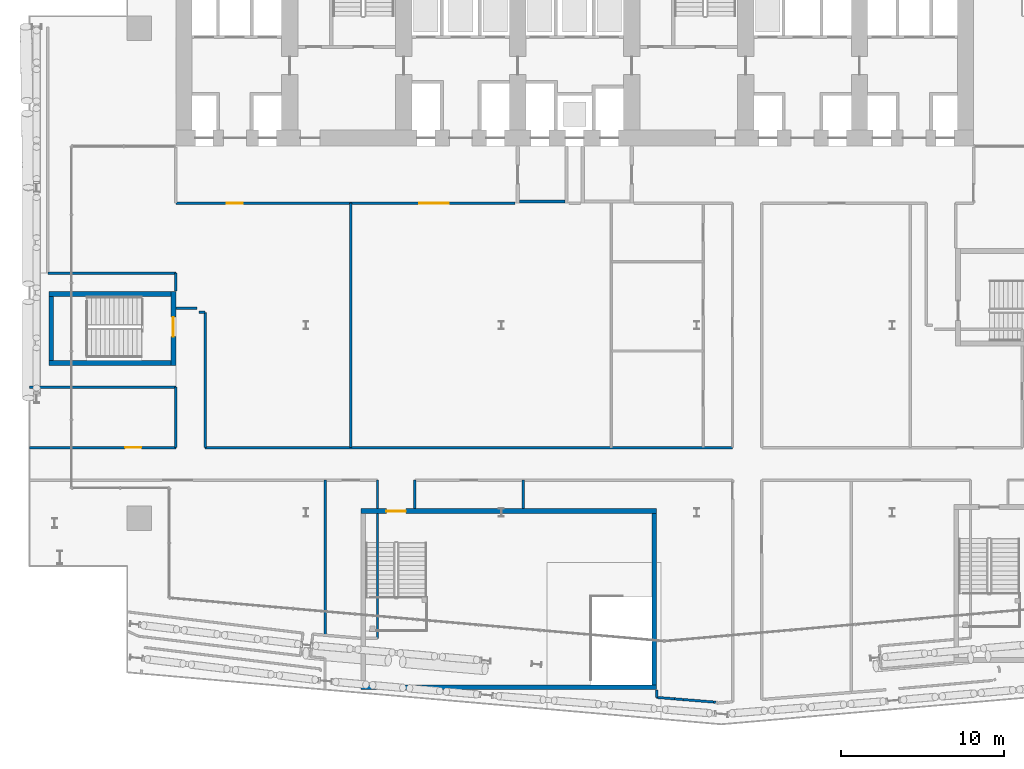
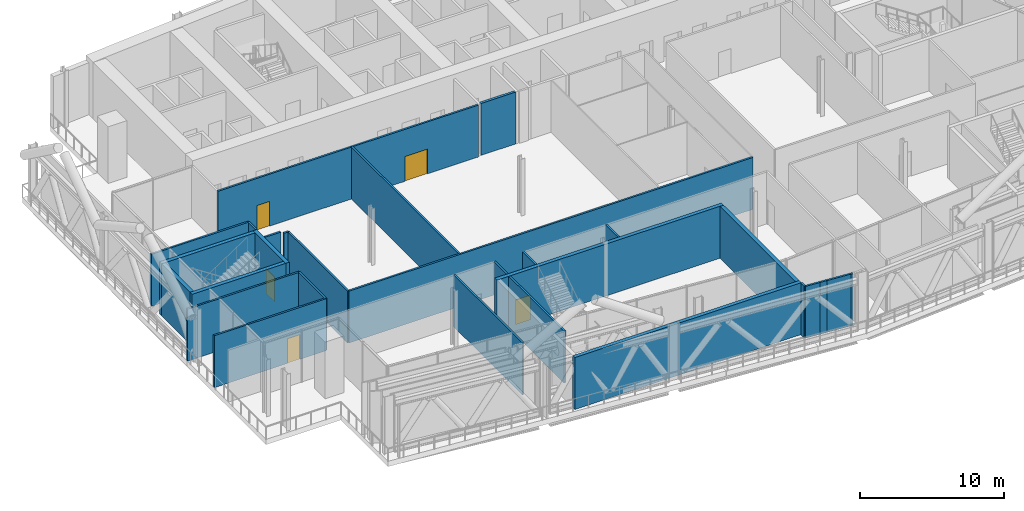
# One storey, part 16 of 42: 29 walls, 5 doors, 5 openings.
"""IFC4 building model written with IfcOpenShell, lengths in metres."""

from ifc_helpers import new_model, si_unit, direction, frame, frame_2d, origin, place, context, subcontext, project, spatial, rectangle, extrude, material, layer, layer_set, type_object, element, fill, save


model = new_model("IFC4")

# Units and contexts
model_context = context("Model", 3, precision=1e-05, world=origin(), true_north=direction((0.0, 1.0)))
body_context = subcontext(model_context, "Body", "Model", "MODEL_VIEW")
ifc_project = project(units=[si_unit("LENGTHUNIT", "METRE"), si_unit("AREAUNIT", "SQUARE_METRE"), si_unit("VOLUMEUNIT", "CUBIC_METRE"), si_unit("PLANEANGLEUNIT", "RADIAN"), si_unit("MASSUNIT", "GRAM", prefix="KILO")], contexts=[model_context])

# Site, building, storey
site_placement = place(None, origin())
site = spatial("IfcSite", under=ifc_project, at=site_placement, CompositionType="ELEMENT")
building_placement = place(site_placement, origin())
building = spatial("IfcBuilding", under=site, at=building_placement, Name="Wharfspan Tower", CompositionType="ELEMENT")
storey_placement = place(building_placement, frame((0.0, 0.0, 147.100098)))
storey = spatial("IfcBuildingStorey", under=building, at=storey_placement, Name="L35", CompositionType="ELEMENT", Elevation=147.100098)

# Wall
ifc_material_1 = material(Name="Concrete C30/37", Category="concrete")
ifc_layer_1 = layer(ifc_material_1, 0.199951)
ifc_layer_set_1 = layer_set([ifc_layer_1], Name="Concrete C30/37")
wall_type_1 = type_object("IfcWallType", Name="Lobby wall 200", PredefinedType="PARTITIONING", material=ifc_layer_set_1)
wall_1_placement = place(storey_placement, frame((37.100098, 30.600098, 0.0), z_axis=(0.0, 0.0, 1.0), x_axis=(1.0, 0.0, 0.0)))
element("IfcWall", 1, at=wall_1_placement, inside=storey, type_object=wall_type_1, Name="sw:L35:FLFF1F", PredefinedType="PARTITIONING", context=body_context, shape_type="SweptSolid", body=[
    extrude(rectangle(XDim=2.799805, YDim=0.199951, at=frame_2d((1.399902, 0.0))), origin(), (0.0, 0.0, 1.0), 4.399902),
])

# Wall, opening, door
ifc_material_2 = material(Name="Gypsum board on steel studs", Category="steel")
ifc_layer_2 = layer(ifc_material_2, 0.149902)
ifc_layer_set_2 = layer_set([ifc_layer_2], Name="Gypsum board on steel studs")
wall_type_2 = type_object("IfcWallType", Name="Plant room wall 150 EI 120", PredefinedType="PARTITIONING", material=ifc_layer_set_2)
wall_2_placement = place(storey_placement, frame((7.02002, 15.48999, 0.0), z_axis=(0.0, 0.0, 1.0), x_axis=(1.0, 0.0, 0.0)))
wall_2 = element("IfcWall", 2, at=wall_2_placement, inside=storey, type_object=wall_type_2, Name="Partition L35.w002", PredefinedType="PARTITIONING", context=body_context, shape_type="SweptSolid", body=[
    extrude(rectangle(XDim=8.97998, YDim=0.149902, at=frame_2d((4.48999, 0.0))), origin(), (0.0, 0.0, 1.0), 4.399902),
])
opening_1_placement = place(wall_2_placement, frame((5.870117, 0.0, 0.0)))
opening_1 = element("IfcOpeningElement", 3, at=opening_1_placement, cuts=wall_2, Name="Opening BB-09", PredefinedType="OPENING", context=body_context, shape_type="SweptSolid", body=[
    extrude(rectangle(XDim=1.0, YDim=2.100098, at=frame_2d((0.5, 1.050049))), frame((0.0, 0.084961, 0.0), z_axis=(0.0, -1.0, 0.0), x_axis=(1.0, 0.0, 0.0)), (0.0, 0.0, 1.0), 0.169922),
])
ifc_material_3 = material(Name="Fire-rated timber door leaf in steel frame", Category="steel")
door_type_1 = type_object("IfcDoorType", Name="Door 1000 FD60 Right", OperationType="SINGLE_SWING_RIGHT", PredefinedType="DOOR", material=ifc_material_3)
door_1_placement = place(opening_1_placement, origin())
door_1 = element("IfcDoor", 4, at=door_1_placement, inside=storey, type_object=door_type_1, Name="Door BB-09", OperationType="SINGLE_SWING_RIGHT", OverallHeight=2.100098, OverallWidth=1.0, PredefinedType="DOOR", context=body_context, shape_type="SweptSolid", body=[
    extrude(rectangle(XDim=1.0, YDim=2.100098, at=frame_2d((0.5, 1.050049))), frame((0.0, 0.024902, 0.0), z_axis=(0.0, -1.0, 0.0), x_axis=(1.0, 0.0, 0.0)), (0.0, 0.0, 1.0), 0.050049),
])
fill(opening_1, door_1)

# Walls
wall_3_placement = place(storey_placement, frame((7.02002, 19.199951, 0.0), z_axis=(0.0, 0.0, 1.0), x_axis=(1.0, 0.0, 0.0)))
element("IfcWall", 5, at=wall_3_placement, inside=storey, type_object=wall_type_2, Name="Partition L35.w003", PredefinedType="PARTITIONING", context=body_context, shape_type="SweptSolid", body=[
    extrude(rectangle(XDim=8.97998, YDim=0.149902, at=frame_2d((4.48999, 0.0))), origin(), (0.0, 0.0, 1.0), 4.399902),
])
wall_4_placement = place(storey_placement, frame((8.149902, 26.199951, 0.0), z_axis=(0.0, 0.0, 1.0), x_axis=(1.0, 0.0, 0.0)))
element("IfcWall", 6, at=wall_4_placement, inside=storey, type_object=wall_type_2, Name="Partition L35.w005", PredefinedType="PARTITIONING", context=body_context, shape_type="SweptSolid", body=[
    extrude(rectangle(XDim=7.850098, YDim=0.149902, at=frame_2d((3.925049, 0.0))), origin(), (0.0, 0.0, 1.0), 4.399902),
])
wall_5_placement = place(storey_placement, frame((16.0, 15.48999, 0.0), z_axis=(0.0, 0.0, 1.0), x_axis=(0.0, 1.0, 0.0)))
element("IfcWall", 7, at=wall_5_placement, inside=storey, type_object=wall_type_2, Name="Partition L35.w009", PredefinedType="PARTITIONING", context=body_context, shape_type="SweptSolid", body=[
    extrude(rectangle(XDim=3.709961, YDim=0.149902, at=frame_2d((1.85498, 0.0))), origin(), (0.0, 0.0, 1.0), 4.399902),
])
wall_6_placement = place(storey_placement, frame((16.0, 25.094971, 0.0), z_axis=(0.0, 0.0, 1.0), x_axis=(0.0, 1.0, 0.0)))
element("IfcWall", 8, at=wall_6_placement, inside=storey, type_object=wall_type_2, Name="Partition L35.w010", PredefinedType="PARTITIONING", context=body_context, shape_type="SweptSolid", body=[
    extrude(rectangle(XDim=1.10498, YDim=0.149902, at=frame_2d((0.55249, 0.0))), origin(), (0.0, 0.0, 1.0), 4.399902),
])

# Wall, openings, doors
wall_7_placement = place(storey_placement, frame((16.0, 30.5, 0.0), z_axis=(0.0, 0.0, 1.0), x_axis=(1.0, 0.0, 0.0)))
wall_7 = element("IfcWall", 9, at=wall_7_placement, inside=storey, type_object=wall_type_2, Name="Partition L35.w012", PredefinedType="PARTITIONING", context=body_context, shape_type="SweptSolid", body=[
    extrude(rectangle(XDim=20.850098, YDim=0.149902, at=frame_2d((10.425049, 0.0))), origin(), (0.0, 0.0, 1.0), 4.399902),
])
opening_2_placement = place(wall_7_placement, frame((3.120117, 0.0, 0.0)))
opening_2 = element("IfcOpeningElement", 10, at=opening_2_placement, cuts=wall_7, Name="Opening BB-17", PredefinedType="OPENING", context=body_context, shape_type="SweptSolid", body=[
    extrude(rectangle(XDim=1.0, YDim=2.100098, at=frame_2d((0.5, 1.050049))), frame((0.0, 0.084961, 0.0), z_axis=(0.0, -1.0, 0.0), x_axis=(1.0, 0.0, 0.0)), (0.0, 0.0, 1.0), 0.169922),
])
opening_3_placement = place(wall_7_placement, frame((14.969971, 0.0, 0.0)))
opening_3 = element("IfcOpeningElement", 11, at=opening_3_placement, cuts=wall_7, Name="Opening BB-18", PredefinedType="OPENING", context=body_context, shape_type="SweptSolid", body=[
    extrude(rectangle(XDim=1.800049, YDim=2.100098, at=frame_2d((0.899902, 1.050049))), frame((0.0, 0.084961, 0.0), z_axis=(0.0, -1.0, 0.0), x_axis=(1.0, 0.0, 0.0)), (0.0, 0.0, 1.0), 0.169922),
])
door_type_2 = type_object("IfcDoorType", Name="Door 1000 FD60 Left", OperationType="SINGLE_SWING_LEFT", PredefinedType="DOOR", material=ifc_material_3)
door_2_placement = place(opening_2_placement, origin())
door_2 = element("IfcDoor", 12, at=door_2_placement, inside=storey, type_object=door_type_2, Name="Door BB-17", OperationType="SINGLE_SWING_LEFT", OverallHeight=2.100098, OverallWidth=1.0, PredefinedType="DOOR", context=body_context, shape_type="SweptSolid", body=[
    extrude(rectangle(XDim=1.0, YDim=2.100098, at=frame_2d((0.5, 1.050049))), frame((0.0, 0.024902, 0.0), z_axis=(0.0, -1.0, 0.0), x_axis=(1.0, 0.0, 0.0)), (0.0, 0.0, 1.0), 0.050049),
])
fill(opening_2, door_2)
door_type_3 = type_object("IfcDoorType", Name="Door 1800 FD30S Double", OperationType="DOUBLE_DOOR_SINGLE_SWING", PredefinedType="DOOR", material=ifc_material_3)
door_3_placement = place(opening_3_placement, origin())
door_3 = element("IfcDoor", 13, at=door_3_placement, inside=storey, type_object=door_type_3, Name="Door BB-18", OperationType="DOUBLE_DOOR_SINGLE_SWING", OverallHeight=2.100098, OverallWidth=1.800049, PredefinedType="DOOR", context=body_context, shape_type="SweptSolid", body=[
    extrude(rectangle(XDim=1.800049, YDim=2.100098, at=frame_2d((0.899902, 1.050049))), frame((0.0, 0.024902, 0.0), z_axis=(0.0, -1.0, 0.0), x_axis=(1.0, 0.0, 0.0)), (0.0, 0.0, 1.0), 0.050049),
])
fill(opening_3, door_3)

# Walls
wall_8_placement = place(storey_placement, frame((16.02002, 24.050049, 0.0), z_axis=(0.0, 0.0, 1.0), x_axis=(1.0, 0.0, 0.0)))
element("IfcWall", 14, at=wall_8_placement, inside=storey, type_object=wall_type_2, Name="Partition L35.w013", PredefinedType="PARTITIONING", context=body_context, shape_type="SweptSolid", body=[
    extrude(rectangle(XDim=1.280029, YDim=0.149902, at=frame_2d((0.640137, 0.0))), origin(), (0.0, 0.0, 1.0), 4.399902),
])
wall_9_placement = place(storey_placement, frame((17.419922, 23.800049, 0.0), z_axis=(0.0, 0.0, 1.0), x_axis=(1.0, 0.0, 0.0)))
element("IfcWall", 15, at=wall_9_placement, inside=storey, type_object=wall_type_2, Name="Partition L35.w014", PredefinedType="PARTITIONING", context=body_context, shape_type="SweptSolid", body=[
    extrude(rectangle(XDim=0.380127, YDim=0.149902, at=frame_2d((0.189941, 0.0))), origin(), (0.0, 0.0, 1.0), 4.399902),
])
wall_10_placement = place(storey_placement, frame((17.800049, 15.48999, 0.0), z_axis=(0.0, 0.0, 1.0), x_axis=(0.0, 1.0, 0.0)))
element("IfcWall", 16, at=wall_10_placement, inside=storey, type_object=wall_type_2, Name="Partition L35.w015", PredefinedType="PARTITIONING", context=body_context, shape_type="SweptSolid", body=[
    extrude(rectangle(XDim=8.310059, YDim=0.149902, at=frame_2d((4.155029, 0.0))), origin(), (0.0, 0.0, 1.0), 4.399902),
])
wall_11_placement = place(storey_placement, frame((17.800049, 15.48999, 0.0), z_axis=(0.0, 0.0, 1.0), x_axis=(1.0, 0.0, 0.0)))
element("IfcWall", 17, at=wall_11_placement, inside=storey, type_object=wall_type_2, Name="Partition L35.w016", PredefinedType="PARTITIONING", context=body_context, shape_type="SweptSolid", body=[
    extrude(rectangle(XDim=32.389893, YDim=0.149902, at=frame_2d((16.194824, 0.0))), origin(), (0.0, 0.0, 1.0), 4.399902),
])
wall_12_placement = place(storey_placement, frame((25.169922, 3.965088, 0.0), z_axis=(0.0, 0.0, 1.0), x_axis=(0.0, 1.0, 0.0)))
element("IfcWall", 18, at=wall_12_placement, inside=storey, type_object=wall_type_2, Name="Partition L35.w026", PredefinedType="PARTITIONING", context=body_context, shape_type="SweptSolid", body=[
    extrude(rectangle(XDim=9.524902, YDim=0.149902, at=frame_2d((4.762451, 0.0))), origin(), (0.0, 0.0, 1.0), 4.399902),
])
wall_13_placement = place(storey_placement, frame((26.75, 15.48999, 0.0), z_axis=(0.0, 0.0, 1.0), x_axis=(0.0, 1.0, 0.0)))
element("IfcWall", 19, at=wall_13_placement, inside=storey, type_object=wall_type_2, Name="Partition L35.w027", PredefinedType="PARTITIONING", context=body_context, shape_type="SweptSolid", body=[
    extrude(rectangle(XDim=15.01001, YDim=0.149902, at=frame_2d((7.504883, 0.0))), origin(), (0.0, 0.0, 1.0), 4.399902),
])
wall_14_placement = place(storey_placement, frame((28.389893, 3.774902, 0.0), z_axis=(0.0, 0.0, 1.0), x_axis=(0.0, 1.0, 0.0)))
element("IfcWall", 20, at=wall_14_placement, inside=storey, type_object=wall_type_2, Name="Partition L35.w030", PredefinedType="PARTITIONING", context=body_context, shape_type="SweptSolid", body=[
    extrude(rectangle(XDim=7.659424, YDim=0.149902, at=frame_2d((3.82959, 0.0))), origin(), (0.0, 0.0, 1.0), 4.399902),
])
for number, where, z_axis, x_axis, name in (
    (21, (30.689941, 11.754395, 0.0), (0.0, 0.0, 1.0), (0.0, 1.0, 0.0), "Partition L35.w031"),
    (22, (37.334961, 11.754395, 0.0), (0.0, 0.0, 1.0), (0.0, 1.0, 0.0), "Partition L35.w033"),
):
    element("IfcWall", number, at=place(storey_placement, frame(where, z_axis=z_axis, x_axis=x_axis)), inside=storey, type_object=wall_type_2, Name=name, PredefinedType="PARTITIONING", context=body_context, shape_type="SweptSolid", body=[
        extrude(rectangle(XDim=1.735596, YDim=0.149902, at=frame_2d((0.867676, 0.0))), origin(), (0.0, 0.0, 1.0), 4.399902),
    ])
wall_15_placement = place(storey_placement, frame((45.534912, 0.14502, 0.0), z_axis=(0.0, 0.0, 1.0), x_axis=(0.0, 1.0, 0.0)))
element("IfcWall", 23, at=wall_15_placement, inside=storey, type_object=wall_type_2, Name="Partition L35.w037", PredefinedType="PARTITIONING", context=body_context, shape_type="SweptSolid", body=[
    extrude(rectangle(XDim=0.451904, YDim=0.149902, at=frame_2d((0.226074, 0.0))), origin(), (0.0, 0.0, 1.0), 4.399902),
])
wall_16_placement = place(storey_placement, frame((46.639893, 0.054932, 0.0), z_axis=(0.0, 0.0, 1.0), x_axis=(-0.996689, 0.081259, 0.0)))
element("IfcWall", 24, at=wall_16_placement, inside=storey, type_object=wall_type_2, Name="Partition L35.w038", PredefinedType="PARTITIONING", context=body_context, shape_type="SweptSolid", body=[
    extrude(rectangle(XDim=1.108643, YDim=0.149902, at=frame_2d((0.554199, 0.0))), origin(), (0.0, 0.0, 1.0), 4.399902),
])
wall_17_placement = place(storey_placement, frame((47.168701, 0.011475, 0.0), z_axis=(0.0, 0.0, 1.0), x_axis=(-0.99664, 0.081903, 0.0)))
element("IfcWall", 25, at=wall_17_placement, inside=storey, type_object=wall_type_2, Name="Partition L35.w039", PredefinedType="PARTITIONING", context=body_context, shape_type="SweptSolid", body=[
    extrude(rectangle(XDim=0.530518, YDim=0.149902, at=frame_2d((0.265137, 0.0))), origin(), (0.0, 0.0, 1.0), 4.399902),
])
wall_18_placement = place(storey_placement, frame((49.027344, -0.138672, 0.0), z_axis=(0.0, 0.0, 1.0), x_axis=(-0.996757, 0.080521, 0.0)))
element("IfcWall", 26, at=wall_18_placement, inside=storey, type_object=wall_type_2, Name="Partition L35.w041", PredefinedType="PARTITIONING", context=body_context, shape_type="SweptSolid", body=[
    extrude(rectangle(XDim=1.864746, YDim=0.149902, at=frame_2d((0.932373, 0.0))), origin(), (0.0, 0.0, 1.0), 4.399902),
])
wall_19_placement = place(storey_placement, frame((49.179932, -0.149902, 0.0), z_axis=(0.0, 0.0, 1.0), x_axis=(-0.997298, 0.073401, 0.0)))
element("IfcWall", 27, at=wall_19_placement, inside=storey, type_object=wall_type_2, Name="Partition L35.w042", PredefinedType="PARTITIONING", context=body_context, shape_type="SweptSolid", body=[
    extrude(rectangle(XDim=0.153076, YDim=0.149902, at=frame_2d((0.07666, 0.0))), origin(), (0.0, 0.0, 1.0), 4.399902),
])
wall_20_placement = place(storey_placement, frame((28.389893, 11.734375, 0.0), z_axis=(0.0, 0.0, 1.0), x_axis=(0.0, 1.0, 0.0)))
element("IfcWall", 28, at=wall_20_placement, inside=storey, type_object=wall_type_2, Name="Partition L35.w030 (2)", PredefinedType="PARTITIONING", context=body_context, shape_type="SweptSolid", body=[
    extrude(rectangle(XDim=1.755615, YDim=0.149902, at=frame_2d((0.87793, 0.0))), origin(), (0.0, 0.0, 1.0), 4.399902),
])

# Wall, opening, door
ifc_material_4 = material(Name="Concrete C40/50", Category="concrete")
ifc_layer_3 = layer(ifc_material_4, 0.300049)
ifc_layer_set_3 = layer_set([ifc_layer_3], Name="Concrete C40/50")
wall_type_3 = type_object("IfcWallType", Name="Stair core wall 300", PredefinedType="SHEAR", material=ifc_layer_set_3)
wall_21_placement = place(storey_placement, frame((15.850098, 20.524902, 0.0), z_axis=(0.0, 0.0, 1.0), x_axis=(0.0, 1.0, 0.0)))
wall_21 = element("IfcWall", 29, at=wall_21_placement, inside=storey, type_object=wall_type_3, Name="ST3 stair enclosure wall L35", PredefinedType="SHEAR", context=body_context, shape_type="SweptSolid", body=[
    extrude(rectangle(XDim=4.550049, YDim=0.300049, at=frame_2d((2.274902, 0.0))), origin(), (0.0, 0.0, 1.0), 4.399902),
])
opening_4_placement = place(wall_21_placement, frame((1.774902, 0.0, 0.0)))
opening_4 = element("IfcOpeningElement", 30, at=opening_4_placement, cuts=wall_21, Name="Opening SD3.L35", PredefinedType="OPENING", context=body_context, shape_type="SweptSolid", body=[
    extrude(rectangle(XDim=1.199951, YDim=2.100098, at=frame_2d((0.600098, 1.050049))), frame((0.0, 0.159912, 0.0), z_axis=(0.0, -1.0, 0.0), x_axis=(1.0, 0.0, 0.0)), (0.0, 0.0, 1.0), 0.320068),
])
ifc_material_5 = material(Name="Steel door leaf", Category="steel")
door_type_4 = type_object("IfcDoorType", Name="Stair door 1200x2100", OperationType="SINGLE_SWING_LEFT", PredefinedType="DOOR", material=ifc_material_5)
door_4_placement = place(opening_4_placement, origin())
door_4 = element("IfcDoor", 31, at=door_4_placement, inside=storey, type_object=door_type_4, Name="sd:L35:ST3z3", OperationType="SINGLE_SWING_RIGHT", OverallHeight=2.100098, OverallWidth=1.199951, PredefinedType="DOOR", context=body_context, shape_type="SweptSolid", body=[
    extrude(rectangle(XDim=1.199951, YDim=2.100098, at=frame_2d((0.600098, 1.050049))), frame((0.0, 0.024902, 0.0), z_axis=(0.0, -1.0, 0.0), x_axis=(1.0, 0.0, 0.0)), (0.0, 0.0, 1.0), 0.050049),
])
fill(opening_4, door_4)

wall_22_placement = place(storey_placement, frame((27.364258, 11.584229, 0.0), z_axis=(0.0, 0.0, 1.0), x_axis=(1.0, 0.0, 0.0)))
wall_22 = element("IfcWall", 32, at=wall_22_placement, inside=storey, type_object=wall_type_3, Name="ST4 stair enclosure wall L35", PredefinedType="SHEAR", context=body_context, shape_type="SweptSolid", body=[
    extrude(rectangle(XDim=18.171143, YDim=0.300049, at=frame_2d((9.085449, 0.0))), origin(), (0.0, 0.0, 1.0), 4.399902),
])
opening_5_placement = place(wall_22_placement, frame((1.574951, 0.0, 0.0)))
opening_5 = element("IfcOpeningElement", 33, at=opening_5_placement, cuts=wall_22, Name="Opening SD4.L35", PredefinedType="OPENING", context=body_context, shape_type="SweptSolid", body=[
    extrude(rectangle(XDim=1.199951, YDim=2.100098, at=frame_2d((0.600098, 1.050049))), frame((0.0, 0.159912, 0.0), z_axis=(0.0, -1.0, 0.0), x_axis=(1.0, 0.0, 0.0)), (0.0, 0.0, 1.0), 0.320068),
])
door_5_placement = place(opening_5_placement, origin())
door_5 = element("IfcDoor", 34, at=door_5_placement, inside=storey, type_object=door_type_4, Name="sd:L35:ST4z3", OperationType="SINGLE_SWING_RIGHT", OverallHeight=2.100098, OverallWidth=1.199951, PredefinedType="DOOR", context=body_context, shape_type="SweptSolid", body=[
    extrude(rectangle(XDim=1.199951, YDim=2.100098, at=frame_2d((0.600098, 1.050049))), frame((0.0, 0.024902, 0.0), z_axis=(0.0, -1.0, 0.0), x_axis=(1.0, 0.0, 0.0)), (0.0, 0.0, 1.0), 0.050049),
])
fill(opening_5, door_5)

# Walls
for number, where, z_axis, x_axis, name in (
    (35, (8.199951, 20.675049, 0.0), (0.0, 0.0, 1.0), (1.0, 0.0, 0.0), "ST3 stair enclosure wall L35"),
    (36, (8.199951, 24.925049, 0.0), (0.0, 0.0, 1.0), (1.0, 0.0, 0.0), "ST3 stair enclosure wall L35"),
):
    element("IfcWall", number, at=place(storey_placement, frame(where, z_axis=z_axis, x_axis=x_axis)), inside=storey, type_object=wall_type_3, Name=name, PredefinedType="SHEAR", context=body_context, shape_type="SweptSolid", body=[
        extrude(rectangle(XDim=7.5, YDim=0.300049, at=frame_2d((3.75, 0.0))), origin(), (0.0, 0.0, 1.0), 4.399902),
    ])
wall_23_placement = place(storey_placement, frame((8.350098, 20.824951, 0.0), z_axis=(0.0, 0.0, 1.0), x_axis=(0.0, 1.0, 0.0)))
element("IfcWall", 37, at=wall_23_placement, inside=storey, type_object=wall_type_3, Name="ST3 stair enclosure wall L35", PredefinedType="SHEAR", context=body_context, shape_type="SweptSolid", body=[
    extrude(rectangle(XDim=3.949951, YDim=0.300049, at=frame_2d((1.975098, 0.0))), origin(), (0.0, 0.0, 1.0), 4.399902),
])
wall_24_placement = place(storey_placement, frame((27.364258, 0.76709, 0.0), z_axis=(0.0, 0.0, 1.0), x_axis=(1.0, 0.0, 0.0)))
element("IfcWall", 38, at=wall_24_placement, inside=storey, type_object=wall_type_3, Name="ST4 stair enclosure wall L35", PredefinedType="SHEAR", context=body_context, shape_type="SweptSolid", body=[
    extrude(rectangle(XDim=18.171143, YDim=0.300049, at=frame_2d((9.085449, 0.0))), origin(), (0.0, 0.0, 1.0), 4.399902),
])
wall_25_placement = place(storey_placement, frame((45.385254, 0.916992, 0.0), z_axis=(0.0, 0.0, 1.0), x_axis=(0.0, 1.0, 0.0)))
element("IfcWall", 39, at=wall_25_placement, inside=storey, type_object=wall_type_3, Name="ST4 stair enclosure wall L35", PredefinedType="SHEAR", context=body_context, shape_type="SweptSolid", body=[
    extrude(rectangle(XDim=10.517334, YDim=0.300049, at=frame_2d((5.258789, 0.0))), origin(), (0.0, 0.0, 1.0), 4.399902),
])

save(model, "model.ifc")
